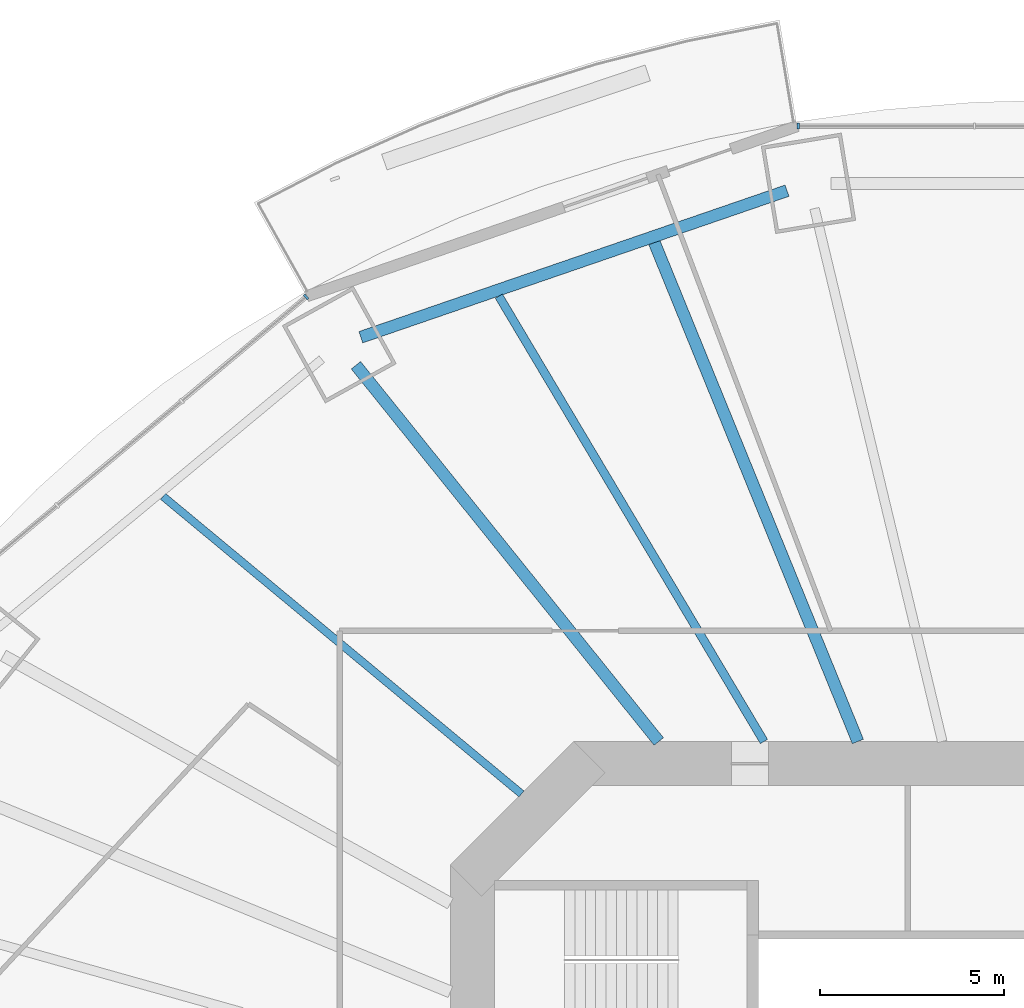
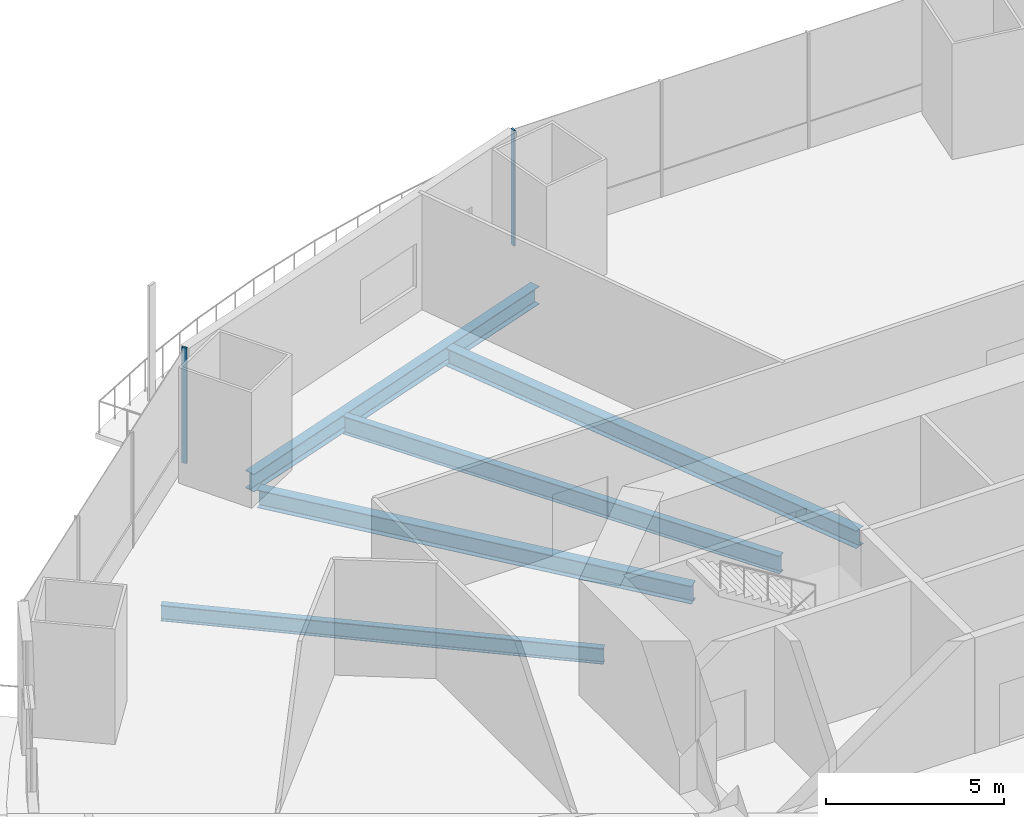
# One storey, part 7 of 23: 5 beams, 2 members, 2 elements without a shape of their own.
"""IFC4 building model written with IfcOpenShell, lengths in metres."""

from ifc_helpers import new_model, si_unit, direction, frame, origin, origin_2d, place, context, subcontext, project, spatial, rectangle, i_section, extrude, material, material_profile, profile_set, type_object, element, aggregate, save


model = new_model("IFC4")

# Units and contexts
model_context = context("Model", 3, precision=1e-05, world=origin(), true_north=direction((0.0, 1.0)))
body_context = subcontext(model_context, "Body", "Model", "MODEL_VIEW")
ifc_project = project(units=[si_unit("LENGTHUNIT", "METRE"), si_unit("AREAUNIT", "SQUARE_METRE"), si_unit("VOLUMEUNIT", "CUBIC_METRE"), si_unit("PLANEANGLEUNIT", "RADIAN"), si_unit("MASSUNIT", "GRAM", prefix="KILO")], contexts=[model_context])

# Site, building, storey
site_placement = place(None, origin())
site = spatial("IfcSite", under=ifc_project, at=site_placement, CompositionType="ELEMENT")
building_placement = place(site_placement, origin())
building = spatial("IfcBuilding", under=site, at=building_placement, Name="Marenthal Gate Tower", CompositionType="ELEMENT")
storey_placement = place(building_placement, frame((0.0, 0.0, 41.300048828125)))
storey = spatial("IfcBuildingStorey", under=building, at=storey_placement, Name="L06", CompositionType="ELEMENT", Elevation=41.300048828125)

# Curtain wall, member
ifc_material_1 = material(Name="Aluminium and glass", Category="aluminium")
curtain_wall_type = type_object("IfcCurtainWallType", Name="Curtain wall typical low", PredefinedType="NOTDEFINED", material=ifc_material_1)
curtain_wall_1_placement = place(storey_placement, origin())
curtain_wall_1 = element("IfcCurtainWall", 1, at=curtain_wall_1_placement, inside=storey, type_object=curtain_wall_type, Name="Curtain wall L06 bay 4", PredefinedType="NOTDEFINED")
ifc_material_2 = material(Name="Aluminium", Category="aluminium")
ifc_material_profile_1 = material_profile(ifc_material_2, rectangle(XDim=0.159912109375, YDim=0.06005859375, at=origin_2d()), Name="60x160 aluminium mullion")
ifc_profile_set_1 = profile_set([ifc_material_profile_1], Name="Aluminium")
member_type = type_object("IfcMemberType", Name="Mullion 60x160 typical low", PredefinedType="MULLION", material=ifc_profile_set_1)
member_1_placement = place(storey_placement, frame((-7.164794921875, 30.28662109375, 0.0), z_axis=(0.0, 0.0, 1.0), x_axis=(0.0, -1.0, 0.0)))
member_1 = element("IfcMember", 2, at=member_1_placement, type_object=member_type, Name="Mullion L06 bay 4.4", PredefinedType="MULLION", context=body_context, shape_type="SweptSolid", body=[
    extrude(rectangle(XDim=0.159912109375, YDim=0.06005859375, at=origin_2d()), origin(), (0.0, 0.0, 1.0), 3.969970703125),
])
aggregate(curtain_wall_1, [member_1])

curtain_wall_2_placement = place(storey_placement, origin())
curtain_wall_2 = element("IfcCurtainWall", 3, at=curtain_wall_2_placement, inside=storey, type_object=curtain_wall_type, Name="Curtain wall L06 bay 6", PredefinedType="NOTDEFINED")
member_2_placement = place(storey_placement, frame((-20.512451171875, 25.656494140625, 0.0), z_axis=(0.0, 0.0, 1.0), x_axis=(0.641982192245, -0.76671954771, 0.0)))
member_2 = element("IfcMember", 4, at=member_2_placement, type_object=member_type, Name="Mullion L06 bay 6.1", PredefinedType="MULLION", context=body_context, shape_type="SweptSolid", body=[
    extrude(rectangle(XDim=0.159912109375, YDim=0.06005859375, at=origin_2d()), origin(), (0.0, 0.0, 1.0), 3.969970703125),
])
aggregate(curtain_wall_2, [member_2])

# Beams
ifc_material_3 = material(Name="Steel S355", Category="steel")
ifc_material_profile_2 = material_profile(ifc_material_3, i_section(OverallWidth=0.2119140625, OverallDepth=0.5439453125, WebThickness=0.01318359375, FlangeThickness=0.021240234375, FilletRadius=0.0126953125, at=origin_2d()), Name="W530X123")
ifc_profile_set_2 = profile_set([ifc_material_profile_2], Name="Steel S355")
beam_type_1 = type_object("IfcBeamType", Name="W530X123 beam", PredefinedType="BEAM", material=ifc_profile_set_2)
beam_1_placement = place(storey_placement, frame((-24.3916015625, 20.245849609375, -0.4521484375), z_axis=(0.769466511284, -0.638687159737, 0.0), x_axis=(0.638687159737, 0.769466511284, 0.0)))
element("IfcBeam", 5, at=beam_1_placement, inside=storey, type_object=beam_type_1, Name="BM-L06-25", PredefinedType="BEAM", context=body_context, shape_type="SweptSolid", body=[
    extrude(i_section(OverallWidth=0.2119140625, OverallDepth=0.5439453125, WebThickness=0.01318359375, FlangeThickness=0.021240234375, FilletRadius=0.0126953125, at=origin_2d()), origin(), (0.0, 0.0, 1.0), 12.6328125),
])
ifc_material_4 = material(Name="Steel S355", Category="steel")
ifc_material_profile_3 = material_profile(ifc_material_4, i_section(OverallWidth=0.22900390625, OverallDepth=0.612060546875, WebThickness=0.011962890625, FlangeThickness=0.01953125, FilletRadius=0.0126953125, at=origin_2d()), Name="W610X125")
ifc_profile_set_3 = profile_set([ifc_material_profile_3], Name="Steel S355")
beam_type_2 = type_object("IfcBeamType", Name="W610X125 beam", PredefinedType="BEAM", material=ifc_profile_set_3)
beam_2_placement = place(storey_placement, frame((-15.28515625, 25.677734375, -0.486083984375), z_axis=(0.511504014048, -0.859280887494, 0.0), x_axis=(0.859280887494, 0.511504014048, 0.0)))
element("IfcBeam", 6, at=beam_2_placement, inside=storey, type_object=beam_type_2, Name="BM-L06-24", PredefinedType="BEAM", context=body_context, shape_type="SweptSolid", body=[
    extrude(i_section(OverallWidth=0.22900390625, OverallDepth=0.612060546875, WebThickness=0.011962890625, FlangeThickness=0.01953125, FilletRadius=0.0126953125, at=origin_2d()), origin(), (0.0, 0.0, 1.0), 14.055419921875),
])
ifc_material_5 = material(Name="Steel S355", Category="steel")
ifc_material_profile_4 = material_profile(ifc_material_5, i_section(OverallWidth=0.324951171875, OverallDepth=0.612060546875, WebThickness=0.0126953125, FlangeThickness=0.01904296875, FilletRadius=0.0126953125, at=origin_2d()), Name="W610X155")
ifc_profile_set_4 = profile_set([ifc_material_profile_4], Name="Steel S355")
beam_type_3 = type_object("IfcBeamType", Name="W610X155 beam", PredefinedType="BEAM", material=ifc_profile_set_4)
beam_3_placement = place(storey_placement, frame((-19.161376953125, 23.802978515625, -0.486083984375), z_axis=(0.627069823545, -0.778963052012, 0.0), x_axis=(0.778963052012, 0.627069823545, 0.0)))
element("IfcBeam", 7, at=beam_3_placement, inside=storey, type_object=beam_type_3, Name="BM-L06-06", PredefinedType="BEAM", context=body_context, shape_type="SweptSolid", body=[
    extrude(i_section(OverallWidth=0.324951171875, OverallDepth=0.612060546875, WebThickness=0.0126953125, FlangeThickness=0.01904296875, FilletRadius=0.0126953125, at=origin_2d()), origin(), (0.0, 0.0, 1.0), 13.09814453125),
])
beam_4_placement = place(storey_placement, frame((-11.06689453125, 27.1279296875, -0.486083984375), z_axis=(0.377734751458, -0.925913849956, 0.0), x_axis=(0.925913849956, 0.377734751458, 0.0)))
element("IfcBeam", 8, at=beam_4_placement, inside=storey, type_object=beam_type_3, Name="BM-L06-23", PredefinedType="BEAM", context=body_context, shape_type="SweptSolid", body=[
    extrude(i_section(OverallWidth=0.324951171875, OverallDepth=0.612060546875, WebThickness=0.0126953125, FlangeThickness=0.01904296875, FilletRadius=0.0126953125, at=origin_2d()), origin(), (0.0, 0.0, 1.0), 14.6103515625),
])
beam_5_placement = place(storey_placement, frame((-7.468994140625, 28.536865234375, -0.486083984375), z_axis=(-0.945669328234, -0.325130007287, 0.0), x_axis=(0.325130007287, -0.945669328234, 0.0)))
element("IfcBeam", 9, at=beam_5_placement, inside=storey, type_object=beam_type_3, Name="BM-L06-45", PredefinedType="BEAM", context=body_context, shape_type="SweptSolid", body=[
    extrude(i_section(OverallWidth=0.324951171875, OverallDepth=0.612060546875, WebThickness=0.0126953125, FlangeThickness=0.01904296875, FilletRadius=0.0126953125, at=origin_2d()), origin(), (0.0, 0.0, 1.0), 12.22314453125),
])

save(model, "model.ifc")
